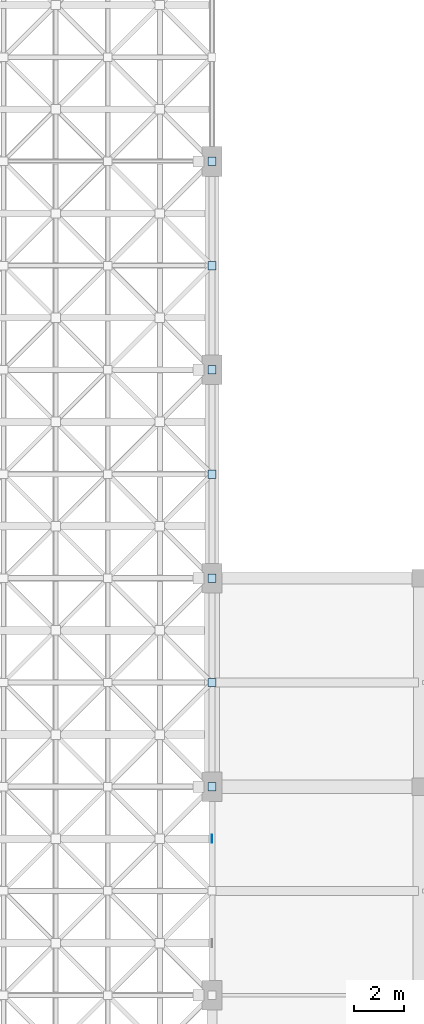
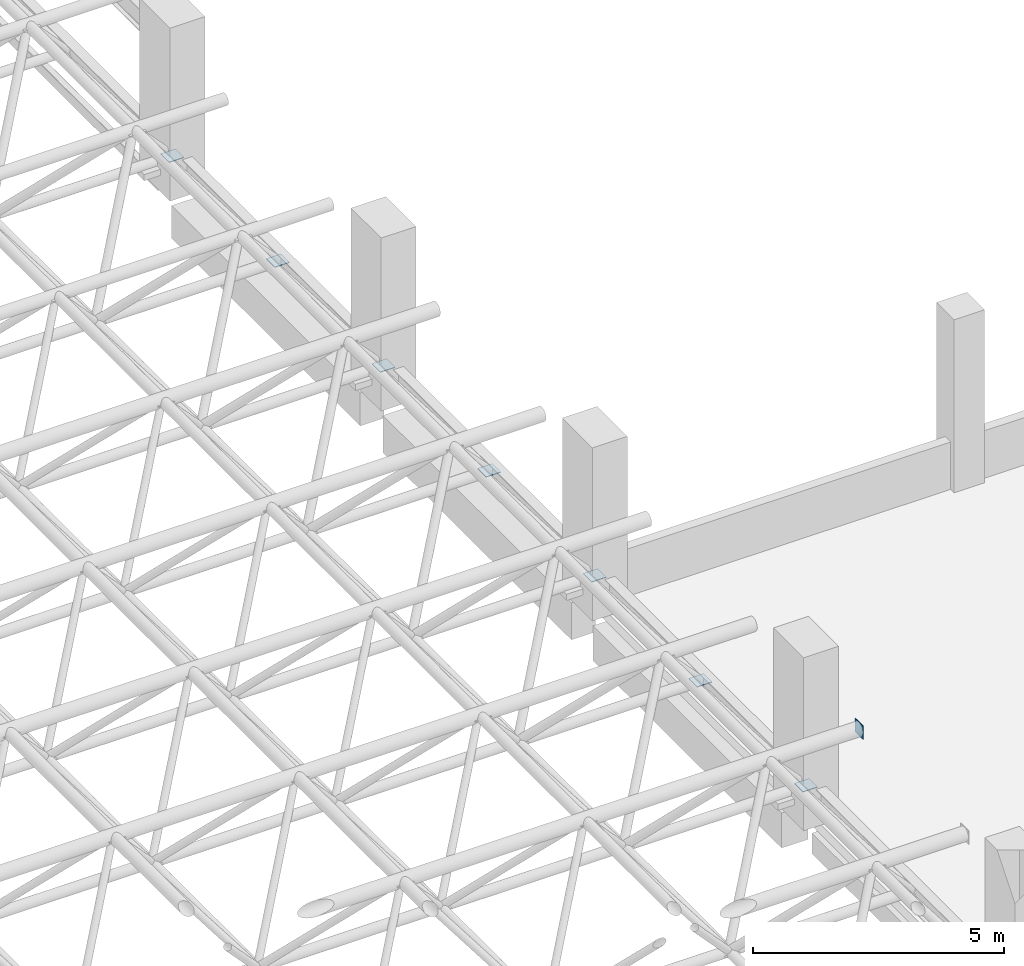
# One storey, part 47 of 64: 8 plates.
"""IFC4 building model written with IfcOpenShell, lengths in metres."""

import ifcopenshell
import ifcopenshell.guid

model = None  # the IFC model being written
_history = None  # IfcOwnerHistory: only IFC2X3 demands one
_inside = {}  # id of a spatial element -> (the spatial element, [elements in it])
_under = {}  # id of a project, library or spatial element -> (it, [spatial elements below it])
_declared = {}  # id of a project -> (the project, [libraries it declares])
_typed = {}  # id of a type object -> (the type object, [elements of that type])
_made_of = {}  # id of a material, layer set ... -> (it, [elements and type objects made of it])


def new_model(schema):
    """Start an empty IFC model of exactly this schema.

    Asked for "IFC4X3", IfcOpenShell would pick the latest addendum, in which some entities
    have other attributes; the version numbers below select the first issue.
    IFC2X3 requires an IfcOwnerHistory on every rooted entity: one is made here for all.
    """
    global model, _history
    if schema == "IFC4X3":
        model = ifcopenshell.file(schema_version=(4, 3, 0, 0))
    else:
        model = ifcopenshell.file(schema=schema)
    _inside.clear()
    _under.clear()
    _declared.clear()
    _typed.clear()
    _made_of.clear()
    _history = None
    if model.schema == "IFC2X3":
        org = make("IfcOrganization", Name="unknown")
        user = make(
            "IfcPersonAndOrganization",
            ThePerson=make("IfcPerson", FamilyName="unknown"),
            TheOrganization=org,
        )
        app = make(
            "IfcApplication",
            ApplicationDeveloper=org,
            Version="unknown",
            ApplicationFullName="unknown",
            ApplicationIdentifier="unknown",
        )
        _history = make(
            "IfcOwnerHistory",
            OwningUser=user,
            OwningApplication=app,
            ChangeAction="ADDED",
            CreationDate=0,
        )
    return model


def make(cls, **values):
    """One entity of the class cls with the attributes given. An attribute that is None is left unset."""
    return model.create_entity(
        cls, **{name: value for name, value in values.items() if value is not None}
    )


def rooted(cls, **values):
    """An entity with a GlobalId (a new one), such as an element, a storey or a relation."""
    return make(cls, GlobalId=ifcopenshell.guid.new(), OwnerHistory=_history, **values)


def si_unit(unit_type, name, prefix=None):
    """IfcSIUnit, for example si_unit("LENGTHUNIT", "METRE", prefix="MILLI")."""
    return make("IfcSIUnit", UnitType=unit_type, Prefix=prefix, Name=name)


def derived_unit(unit_type, elements):
    """IfcDerivedUnit: a product of units, each with its exponent."""
    return make(
        "IfcDerivedUnit",
        Elements=[
            make("IfcDerivedUnitElement", Unit=unit, Exponent=power)
            for unit, power in elements
        ],
        UnitType=unit_type,
    )


def assignment(units):
    """IfcUnitAssignment: the units of a project."""
    return None if units is None else make("IfcUnitAssignment", Units=units)


def point(xyz):
    """IfcCartesianPoint."""
    return None if xyz is None else make("IfcCartesianPoint", Coordinates=xyz)


def direction(xyz):
    """IfcDirection."""
    return None if xyz is None else make("IfcDirection", DirectionRatios=xyz)


def frame(location, z_axis=None, x_axis=None):
    """IfcAxis2Placement3D, a coordinate frame: its origin and axes. An axis left out is left unset."""
    return make(
        "IfcAxis2Placement3D",
        Location=point(location),
        Axis=direction(z_axis),
        RefDirection=direction(x_axis),
    )


def frame_2d(location, x_axis=None):
    """IfcAxis2Placement2D, a coordinate frame in the plane: its origin and x axis."""
    return make(
        "IfcAxis2Placement2D", Location=point(location), RefDirection=direction(x_axis)
    )


def origin():
    """The frame at (0, 0, 0) with its axes left unset."""
    return frame((0.0, 0.0, 0.0))


def origin_2d():
    """The frame at (0, 0) in the plane with its x axis left unset."""
    return frame_2d((0.0, 0.0))


def place(relative_to, where):
    """IfcLocalPlacement: puts the frame where relative to a parent placement (None: the world)."""
    return make(
        "IfcLocalPlacement", PlacementRelTo=relative_to, RelativePlacement=where
    )


def context(
    kind, dimensions, precision=None, world=None, true_north=None, identifier=None
):
    """IfcGeometricRepresentationContext, for example the 3D "Model" context."""
    return make(
        "IfcGeometricRepresentationContext",
        ContextIdentifier=identifier,
        ContextType=kind,
        CoordinateSpaceDimension=dimensions,
        Precision=precision,
        WorldCoordinateSystem=world,
        TrueNorth=true_north,
    )


def subcontext(parent, identifier, kind, view, scale=None):
    """IfcGeometricRepresentationSubContext, for example "Body" below "Model"."""
    return make(
        "IfcGeometricRepresentationSubContext",
        ContextIdentifier=identifier,
        ContextType=kind,
        ParentContext=parent,
        TargetScale=scale,
        TargetView=view,
    )


def project(units=None, contexts=None):
    """IfcProject with its units and contexts."""
    return rooted(
        "IfcProject",
        Name="project",
        RepresentationContexts=contexts,
        UnitsInContext=assignment(units),
    )


def spatial(cls, under=None, at=None, **own):
    """A site, building, storey or space (cls), placed at a placement, below another one or the project."""
    s = rooted(cls, ObjectPlacement=at, **own)
    if under is not None:
        _under.setdefault(under.id(), (under, []))[1].append(s)
    return s


def profile(cls, at=None, kind="AREA", **sizes):
    """A parametric profile (cls). Its sizes go by their IFC names, for example OverallWidth=200.0."""
    return make(cls, ProfileType=kind, Position=at, **sizes)


def rectangle(**sizes):
    """IfcRectangleProfileDef."""
    return profile("IfcRectangleProfileDef", **sizes)


def extrude(swept, where, along, depth):
    """IfcExtrudedAreaSolid: the profile swept, set in the frame where, extruded along a direction by depth."""
    return make(
        "IfcExtrudedAreaSolid",
        SweptArea=swept,
        Position=where,
        ExtrudedDirection=direction(along),
        Depth=depth,
    )


def shape(context_of_items, identifier, shape_type, items):
    """IfcShapeRepresentation: the items that make up one representation, for example the "Body"."""
    return make(
        "IfcShapeRepresentation",
        ContextOfItems=context_of_items,
        RepresentationIdentifier=identifier,
        RepresentationType=shape_type,
        Items=items,
    )


def material(Name=None, Category=None):
    """IfcMaterial."""
    return make("IfcMaterial", Name=Name, Category=Category)


def layer(
    of_material, thickness, ventilated=None, Name=None, Category=None, Priority=None
):
    """IfcMaterialLayer: one layer of a wall or slab, of a material (None: an air gap)."""
    return make(
        "IfcMaterialLayer",
        Material=of_material,
        LayerThickness=thickness,
        IsVentilated=ventilated,
        Name=Name,
        Category=Category,
        Priority=Priority,
    )


def layer_set(layers, Name=None):
    """IfcMaterialLayerSet."""
    return make("IfcMaterialLayerSet", MaterialLayers=layers, LayerSetName=Name)


def made_of(thing, what):
    """Note that an element or type object is made of a material, layer set ...; save() writes the relation."""
    if what is not None:
        _made_of.setdefault(what.id(), (what, []))[1].append(thing)
    return thing


def type_object(cls, material=None, **own):
    """A type object (cls), such as IfcWallType, which elements share."""
    return made_of(rooted(cls, **own), material)


def element(
    cls,
    number,
    at=None,
    inside=None,
    cuts=None,
    type_object=None,
    material=None,
    context=None,
    identifier="Body",
    shape_type=None,
    held_by="IfcProductDefinitionShape",
    body=None,
    shapes=None,
    **own,
):
    """One element of the class cls, such as IfcWall. Its Tag is "e" and its number.

    at: its placement. inside: the storey or other place that contains it. cuts: it is an
    opening in that element (IfcRelVoidsElement). A single representation is given by context,
    identifier, shape_type and body (its items); several are given by shapes. held_by: the class
    of the entity that holds the representations. save() writes the other relations.
    """
    e = rooted(cls, Tag="e%d" % number, ObjectPlacement=at, **own)
    if body is not None:
        shapes = [shape(context, identifier, shape_type, body)]
    if shapes is not None:
        e.Representation = make(held_by, Representations=shapes)
    if inside is not None:
        _inside.setdefault(inside.id(), (inside, []))[1].append(e)
    if cuts is not None:
        rooted(
            "IfcRelVoidsElement", RelatingBuildingElement=cuts, RelatedOpeningElement=e
        )
    if type_object is not None:
        _typed.setdefault(type_object.id(), (type_object, []))[1].append(e)
    return made_of(e, material)


def aggregate(whole, parts):
    """IfcRelAggregates: a whole, such as a stair, and the parts it consists of."""
    return rooted("IfcRelAggregates", RelatingObject=whole, RelatedObjects=parts)


def save(model, path):
    """Write the relations noted so far, then the file.

    IfcRelAggregates (storeys below a building ...), IfcRelContainedInSpatialStructure (elements
    in a storey), IfcRelDefinesByType, IfcRelAssociatesMaterial and IfcRelDeclares: one each for
    every whole, place, type object, material and project.
    """
    for whole, parts in _under.values():
        aggregate(whole, parts)
    for where, things in _inside.values():
        rooted(
            "IfcRelContainedInSpatialStructure",
            RelatedElements=things,
            RelatingStructure=where,
        )
    for kind, things in _typed.values():
        rooted("IfcRelDefinesByType", RelatedObjects=things, RelatingType=kind)
    for what, things in _made_of.values():
        rooted("IfcRelAssociatesMaterial", RelatedObjects=things, RelatingMaterial=what)
    for by, libraries in _declared.values():
        rooted("IfcRelDeclares", RelatingContext=by, RelatedDefinitions=libraries)
    model.write(path)


model = new_model("IFC4")

# Units and contexts
model_context = context("Model", 3, precision=1e-05, world=origin(), true_north=direction((0.0, 1.0)))
body_context = subcontext(model_context, "Body", "Model", "MODEL_VIEW")
ifc_project = project(units=[si_unit("LENGTHUNIT", "METRE"), si_unit("AREAUNIT", "SQUARE_METRE"), si_unit("VOLUMEUNIT", "CUBIC_METRE"), si_unit("PLANEANGLEUNIT", "RADIAN"), si_unit("MASSUNIT", "GRAM", prefix="KILO"), derived_unit("THERMALTRANSMITTANCEUNIT", [(si_unit("POWERUNIT", "WATT"), 1), (si_unit("LENGTHUNIT", "METRE"), -2), (si_unit("THERMODYNAMICTEMPERATUREUNIT", "KELVIN"), -1)])], contexts=[model_context])

# Site, building, storey
site_placement = place(None, origin())
site = spatial("IfcSite", under=ifc_project, at=site_placement, CompositionType="ELEMENT")
building_placement = place(site_placement, origin())
building = spatial("IfcBuilding", under=site, at=building_placement, Name="Barrovel Congress Hotel", CompositionType="ELEMENT")
storey_placement = place(building_placement, frame((0.0, 0.0, 14.10009765625)))
storey = spatial("IfcBuildingStorey", under=building, at=storey_placement, Name="L03", CompositionType="ELEMENT", Elevation=14.10009765625)

# Plates
ifc_material = material(Name="Steel ASTM A992 Grade 50", Category="steel")
ifc_layer_1 = layer(ifc_material, 0.011962890625)
ifc_layer_set_1 = layer_set([ifc_layer_1], Name="Steel ASTM A992 Grade 50")
plate_type_1 = type_object("IfcPlateType", Name="EC-12", PredefinedType="SHEET", material=ifc_layer_set_1)
plate_placement = place(storey_placement, frame((33.60595703125, 69.300048828125, 3.087890625), z_axis=(0.0, 0.0, 1.0), x_axis=(1.0, 0.0, 0.0)))
element("IfcPlate", 1, at=plate_placement, inside=storey, type_object=plate_type_1, Name="End Cap Plate SF-TCX:7 end", PredefinedType="SHEET", context=body_context, shape_type="SweptSolid", body=[
    extrude(rectangle(XDim=0.011962890625, YDim=0.323974609375, at=origin_2d()), origin(), (0.0, 0.0, 1.0), 0.323974609375),
])
ifc_layer_2 = layer(ifc_material, 0.01611328125)
ifc_layer_set_2 = layer_set([ifc_layer_2], Name="Steel ASTM A992 Grade 50")
plate_type_2 = type_object("IfcPlateType", Name="GP-16", PredefinedType="SHEET", material=ifc_layer_set_2)
for number, where, z_axis, x_axis, name in (
    (2, (33.60009765625, 71.39990234375, 0.591796875), (0.0, 0.0, 1.0), (1.0, 0.0, 0.0), "Space Frame Bottom Node Gusset Plate 8-8"),
    (3, (33.60009765625, 75.60009765625, 0.591796875), (0.0, 0.0, 1.0), (1.0, 0.0, 0.0), "Space Frame Bottom Node Gusset Plate 8-9"),
    (4, (33.60009765625, 79.800048828125, 0.591796875), (0.0, 0.0, 1.0), (1.0, 0.0, 0.0), "Space Frame Bottom Node Gusset Plate 8-10"),
    (5, (33.60009765625, 84.0, 0.591796875), (0.0, 0.0, 1.0), (1.0, 0.0, 0.0), "Space Frame Bottom Node Gusset Plate 8-11"),
    (6, (33.60009765625, 88.199951171875, 0.591796875), (0.0, 0.0, 1.0), (1.0, 0.0, 0.0), "Space Frame Bottom Node Gusset Plate 8-12"),
    (7, (33.60009765625, 92.39990234375, 0.591796875), (0.0, 0.0, 1.0), (1.0, 0.0, 0.0), "Space Frame Bottom Node Gusset Plate 8-13"),
    (8, (33.60009765625, 96.60009765625, 0.591796875), (0.0, 0.0, 1.0), (1.0, 0.0, 0.0), "Space Frame Bottom Node Gusset Plate 8-14"),
):
    element("IfcPlate", number, at=place(storey_placement, frame(where, z_axis=z_axis, x_axis=x_axis)), inside=storey, type_object=plate_type_2, Name=name, PredefinedType="SHEET", context=body_context, shape_type="SweptSolid", body=[
        extrude(rectangle(XDim=0.340087890625, YDim=0.340087890625, at=origin_2d()), origin(), (0.0, 0.0, 1.0), 0.01611328125),
    ])

save(model, "model.ifc")
